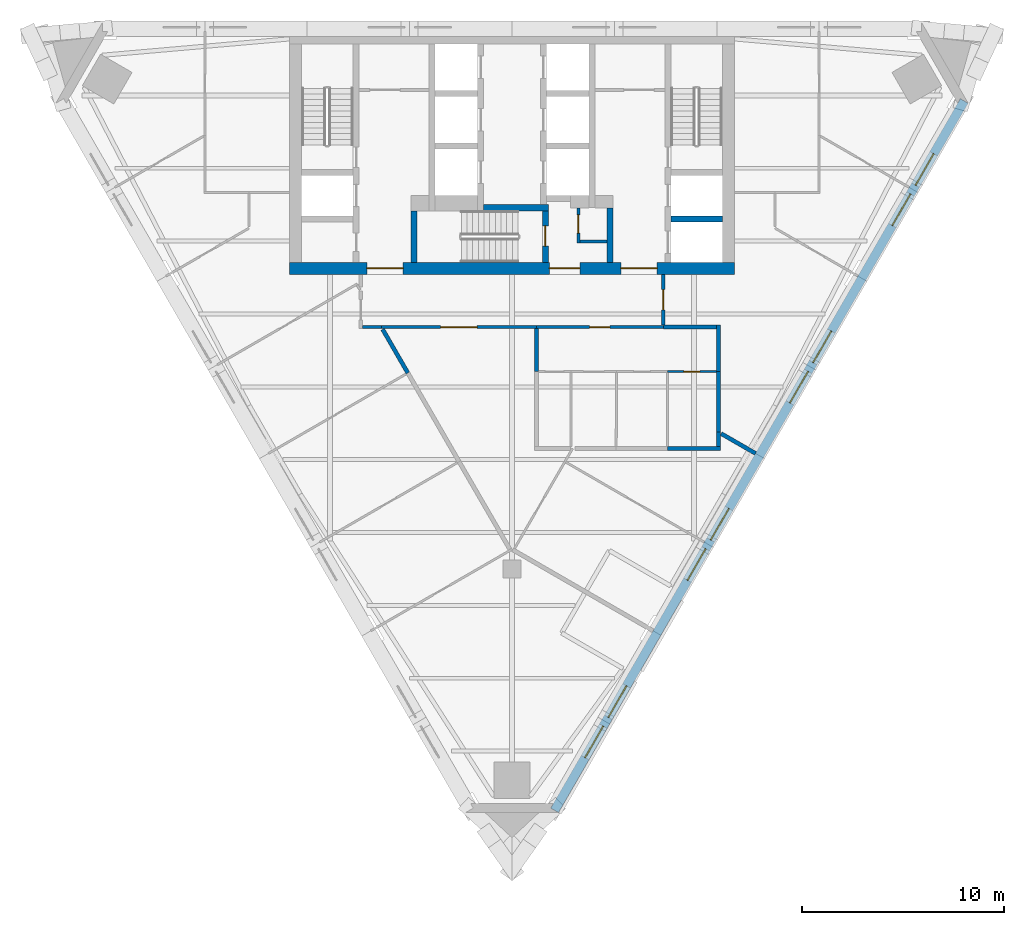
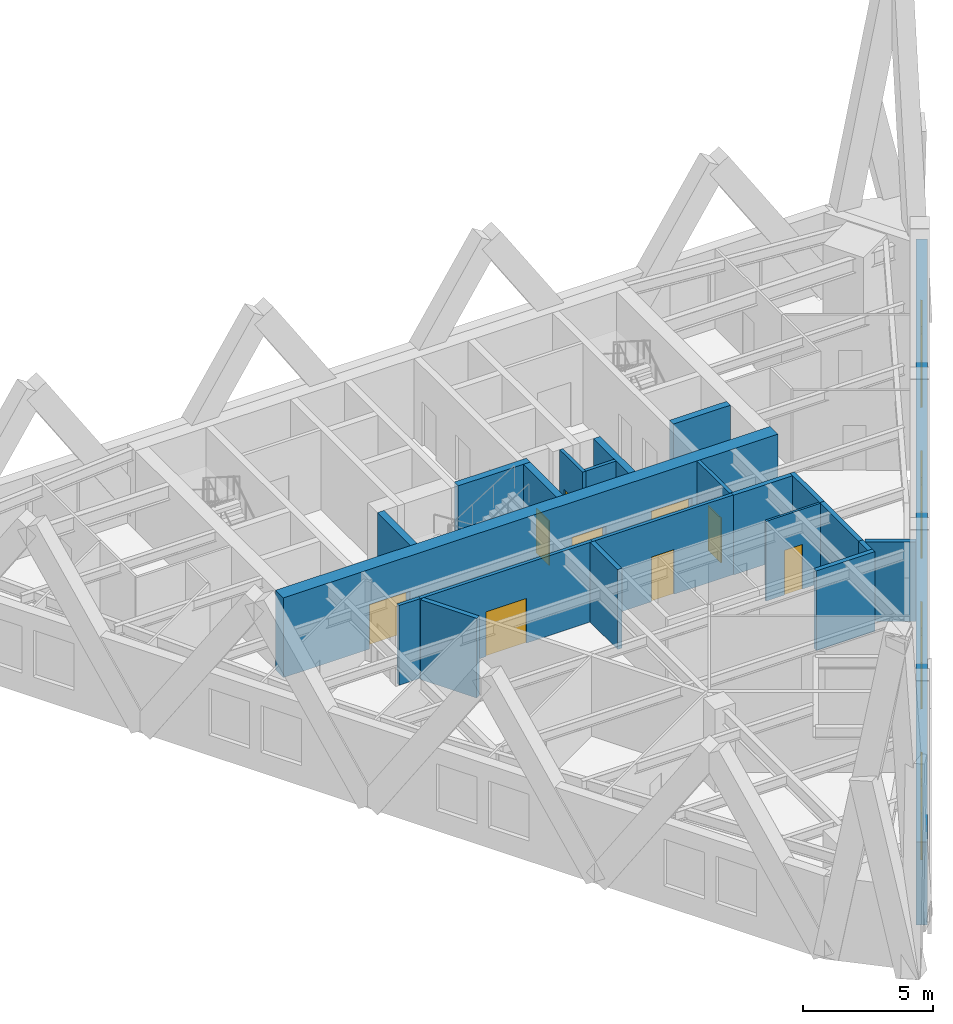
# One storey, part 4 of 8: 22 walls, 9 doors, 8 windows, 17 openings.
"""IFC4 building model written with IfcOpenShell, lengths in metres."""

from ifc_helpers import new_model, si_unit, direction, frame, frame_2d, origin, place, context, subcontext, project, spatial, polyline, rectangle, outline, extrude, material, layer, layer_set, type_object, element, fill, save


model = new_model("IFC4")

# Units and contexts
model_context = context("Model", 3, precision=1e-05, world=origin(), true_north=direction((0.0, 1.0)))
body_context = subcontext(model_context, "Body", "Model", "MODEL_VIEW")
ifc_project = project(units=[si_unit("LENGTHUNIT", "METRE"), si_unit("AREAUNIT", "SQUARE_METRE"), si_unit("VOLUMEUNIT", "CUBIC_METRE"), si_unit("PLANEANGLEUNIT", "RADIAN"), si_unit("MASSUNIT", "GRAM", prefix="KILO")], contexts=[model_context])

# Site, building, storey
site_placement = place(None, origin())
site = spatial("IfcSite", under=ifc_project, at=site_placement, CompositionType="ELEMENT")
building_placement = place(site_placement, origin())
building = spatial("IfcBuilding", under=site, at=building_placement, Name="Aloe Facet Convention Tower", CompositionType="ELEMENT")
storey_placement = place(building_placement, frame((0.0, 0.0, 159.800048828125)))
storey = spatial("IfcBuildingStorey", under=building, at=storey_placement, Name="L40", CompositionType="ELEMENT", Elevation=159.800048828125)

# Wall, opening, door
ifc_material_1 = material(Name="Concrete blockwork partition", Category="masonry")
ifc_layer_1 = layer(ifc_material_1, 0.14990234375)
ifc_layer_set_1 = layer_set([ifc_layer_1], Name="CR-W-PART150")
wall_type_1 = type_object("IfcWallType", Name="CR-W-PART150", PredefinedType="PARTITIONING", material=ifc_layer_set_1)
wall_1_placement = place(storey_placement, frame((83.27490234375, 125.85009765625, 0.0), z_axis=(0.0, 0.0, 1.0), x_axis=(0.0, -1.0, 0.0)))
wall_1 = element("IfcWall", 1, at=wall_1_placement, inside=storey, type_object=wall_type_1, Name="Core partition L40-022", PredefinedType="PARTITIONING", context=body_context, shape_type="SweptSolid", body=[
    extrude(rectangle(XDim=1.75, YDim=0.14990234375, at=frame_2d((0.875, 0.0))), origin(), (0.0, 0.0, 1.0), 3.75),
])
opening_1_placement = place(wall_1_placement, frame((0.35009765625, 0.0, 0.0)))
opening_1 = element("IfcOpeningElement", 2, at=opening_1_placement, cuts=wall_1, Name="Opening L40-CD12", PredefinedType="OPENING", context=body_context, shape_type="SweptSolid", body=[
    extrude(rectangle(XDim=0.89990234375, YDim=2.10009765625, at=frame_2d((0.449951171875, 1.050048828125))), frame((0.0, 0.0849609375, 0.0), z_axis=(0.0, -1.0, 0.0), x_axis=(1.0, 0.0, 0.0)), (0.0, 0.0, 1.0), 0.169921875),
])
ifc_material_2 = material(Name="Steel fire-resisting door set FD60", Category="steel")
door_type_1 = type_object("IfcDoorType", Name="CR-D-REFUGE-900-FD60-SRIGHT", OperationType="SINGLE_SWING_RIGHT", PredefinedType="DOOR", material=ifc_material_2)
door_1_placement = place(opening_1_placement, origin())
door_1 = element("IfcDoor", 3, at=door_1_placement, inside=storey, type_object=door_type_1, Name="Core door L40-CD12", OperationType="SINGLE_SWING_RIGHT", OverallHeight=2.10009765625, OverallWidth=0.89990234375, PredefinedType="DOOR", context=body_context, shape_type="SweptSolid", body=[
    extrude(rectangle(XDim=0.89990234375, YDim=2.10009765625, at=frame_2d((0.449951171875, 1.050048828125))), frame((0.0, 0.02490234375, 0.0), z_axis=(0.0, -1.0, 0.0), x_axis=(1.0, 0.0, 0.0)), (0.0, 0.0, 1.0), 0.050048828125),
])
fill(opening_1, door_1)

# Walls
wall_2_placement = place(storey_placement, frame((83.35009765625, 124.175048828125, 0.0), z_axis=(0.0, 0.0, 1.0), x_axis=(1.0, 0.0, 0.0)))
element("IfcWall", 4, at=wall_2_placement, inside=storey, type_object=wall_type_1, Name="Core partition L40-023", PredefinedType="PARTITIONING", context=body_context, shape_type="SweptSolid", body=[
    extrude(rectangle(XDim=1.349853515625, YDim=0.14990234375, at=frame_2d((0.6748046875, 0.0))), origin(), (0.0, 0.0, 1.0), 3.75),
])
ifc_material_3 = material(Name="Concrete C60/75", Category="concrete")
ifc_layer_2 = layer(ifc_material_3, 0.300048828125)
ifc_layer_set_2 = layer_set([ifc_layer_2], Name="CR-W-RC300-C6075")
wall_type_2 = type_object("IfcWallType", Name="CR-W-RC300-C6075", PredefinedType="SOLIDWALL", material=ifc_layer_set_2)
wall_3_placement = place(storey_placement, frame((75.14990234375, 125.699951171875, 0.0), z_axis=(0.0, 0.0, 1.0), x_axis=(0.0, -1.0, 0.0)))
element("IfcWall", 5, at=wall_3_placement, inside=storey, type_object=wall_type_2, Name="Core wall L40-009", PredefinedType="SOLIDWALL", context=body_context, shape_type="SweptSolid", body=[
    extrude(rectangle(XDim=2.550048828125, YDim=0.300048828125, at=frame_2d((1.27490234375, 0.0))), origin(), (0.0, 0.0, 1.0), 3.75),
])
wall_4_placement = place(storey_placement, frame((78.60009765625, 125.85009765625, 0.0), z_axis=(0.0, 0.0, 1.0), x_axis=(1.0, 0.0, 0.0)))
element("IfcWall", 6, at=wall_4_placement, inside=storey, type_object=wall_type_2, Name="Core wall L40-015", PredefinedType="SOLIDWALL", context=body_context, shape_type="SweptSolid", body=[
    extrude(rectangle(XDim=3.199951171875, YDim=0.300048828125, at=frame_2d((1.60009765625, 0.0))), origin(), (0.0, 0.0, 1.0), 3.75),
])

# Wall, opening, door
wall_5_placement = place(storey_placement, frame((81.64990234375, 125.699951171875, 0.0), z_axis=(0.0, 0.0, 1.0), x_axis=(0.0, -1.0, 0.0)))
wall_5 = element("IfcWall", 7, at=wall_5_placement, inside=storey, type_object=wall_type_2, Name="Core wall L40-017", PredefinedType="SOLIDWALL", context=body_context, shape_type="SweptSolid", body=[
    extrude(rectangle(XDim=2.550048828125, YDim=0.300048828125, at=frame_2d((1.27490234375, 0.0))), origin(), (0.0, 0.0, 1.0), 3.75),
])
opening_2_placement = place(wall_5_placement, frame((0.75, 0.0, 0.0)))
opening_2 = element("IfcOpeningElement", 8, at=opening_2_placement, cuts=wall_5, Name="Opening L40-CD18", PredefinedType="OPENING", context=body_context, shape_type="SweptSolid", body=[
    extrude(rectangle(XDim=1.0, YDim=2.10009765625, at=frame_2d((0.5, 1.050048828125))), frame((0.0, 0.16015625, 0.0), z_axis=(0.0, -1.0, 0.0), x_axis=(1.0, 0.0, 0.0)), (0.0, 0.0, 1.0), 0.320068359375),
])
ifc_material_4 = material(Name="Steel fire-resisting door set FD120", Category="steel")
door_type_2 = type_object("IfcDoorType", Name="CR-D-STAIR-1000-FD120-SLEFT", OperationType="SINGLE_SWING_LEFT", PredefinedType="DOOR", material=ifc_material_4)
door_2_placement = place(opening_2_placement, origin())
door_2 = element("IfcDoor", 9, at=door_2_placement, inside=storey, type_object=door_type_2, Name="Core door L40-CD18", OperationType="SINGLE_SWING_LEFT", OverallHeight=2.10009765625, OverallWidth=1.0, PredefinedType="DOOR", context=body_context, shape_type="SweptSolid", body=[
    extrude(rectangle(XDim=1.0, YDim=2.10009765625, at=frame_2d((0.5, 1.050048828125))), frame((0.0, 0.02490234375, 0.0), z_axis=(0.0, -1.0, 0.0), x_axis=(1.0, 0.0, 0.0)), (0.0, 0.0, 1.0), 0.050048828125),
])
fill(opening_2, door_2)

# Walls
wall_6_placement = place(storey_placement, frame((84.85009765625, 125.85009765625, 0.0), z_axis=(0.0, 0.0, 1.0), x_axis=(0.0, -1.0, 0.0)))
element("IfcWall", 10, at=wall_6_placement, inside=storey, type_object=wall_type_2, Name="Core wall L40-027", PredefinedType="SOLIDWALL", context=body_context, shape_type="SweptSolid", body=[
    extrude(rectangle(XDim=2.7001953125, YDim=0.300048828125, at=frame_2d((1.35009765625, 0.0))), origin(), (0.0, 0.0, 1.0), 3.75),
])
wall_7_placement = place(storey_placement, frame((87.85009765625, 125.300048828125, 0.0), z_axis=(0.0, 0.0, 1.0), x_axis=(1.0, 0.0, 0.0)))
element("IfcWall", 11, at=wall_7_placement, inside=storey, type_object=wall_type_2, Name="Core wall L40-030", PredefinedType="SOLIDWALL", context=body_context, shape_type="SweptSolid", body=[
    extrude(rectangle(XDim=2.5498046875, YDim=0.300048828125, at=frame_2d((1.27490234375, 0.0))), origin(), (0.0, 0.0, 1.0), 3.75),
])

# Wall, openings, doors
ifc_material_5 = material(Name="Concrete C60/75", Category="concrete")
ifc_layer_3 = layer(ifc_material_5, 0.60009765625)
ifc_layer_set_3 = layer_set([ifc_layer_3], Name="CR-W-RC600-C6075")
wall_type_3 = type_object("IfcWallType", Name="CR-W-RC600-C6075", PredefinedType="SOLIDWALL", material=ifc_layer_set_3)
wall_8_placement = place(storey_placement, frame((69.0, 122.85009765625, 0.0), z_axis=(0.0, 0.0, 1.0), x_axis=(1.0, 0.0, 0.0)))
wall_8 = element("IfcWall", 12, at=wall_8_placement, inside=storey, type_object=wall_type_3, Name="Core wall L40-003", PredefinedType="SOLIDWALL", context=body_context, shape_type="SweptSolid", body=[
    extrude(rectangle(XDim=22.0, YDim=0.60009765625, at=frame_2d((11.0, 0.0))), origin(), (0.0, 0.0, 1.0), 3.75),
])
opening_3_placement = place(wall_8_placement, frame((16.375, 0.0, 0.0)))
opening_3 = element("IfcOpeningElement", 13, at=opening_3_placement, cuts=wall_8, Name="Opening L40-CD09", PredefinedType="OPENING", context=body_context, shape_type="SweptSolid", body=[
    extrude(rectangle(XDim=1.800048828125, YDim=2.10009765625, at=frame_2d((0.89990234375, 1.050048828125))), frame((0.0, 0.31005859375, 0.0), z_axis=(0.0, -1.0, 0.0), x_axis=(1.0, 0.0, 0.0)), (0.0, 0.0, 1.0), 0.6201171875),
])
opening_4_placement = place(wall_8_placement, frame((3.824951171875, 0.0, 0.0)))
opening_4 = element("IfcOpeningElement", 14, at=opening_4_placement, cuts=wall_8, Name="Opening L40-CD10", PredefinedType="OPENING", context=body_context, shape_type="SweptSolid", body=[
    extrude(rectangle(XDim=1.800048828125, YDim=2.10009765625, at=frame_2d((0.89990234375, 1.050048828125))), frame((0.0, 0.31005859375, 0.0), z_axis=(0.0, -1.0, 0.0), x_axis=(1.0, 0.0, 0.0)), (0.0, 0.0, 1.0), 0.6201171875),
])
opening_5_placement = place(wall_8_placement, frame((12.85009765625, 0.0, 0.0)))
opening_5 = element("IfcOpeningElement", 15, at=opening_5_placement, cuts=wall_8, Name="Opening L40-CD11", PredefinedType="OPENING", context=body_context, shape_type="SweptSolid", body=[
    extrude(rectangle(XDim=1.5, YDim=2.10009765625, at=frame_2d((0.75, 1.050048828125))), frame((0.0, 0.31005859375, 0.0), z_axis=(0.0, -1.0, 0.0), x_axis=(1.0, 0.0, 0.0)), (0.0, 0.0, 1.0), 0.6201171875),
])
ifc_material_6 = material(Name="Steel fire-resisting door set FD60", Category="steel")
door_type_3 = type_object("IfcDoorType", Name="CR-D-EXIT-1500-FD60-DD", OperationType="DOUBLE_DOOR_DOUBLE_SWING", PredefinedType="DOOR", material=ifc_material_6)
door_3_placement = place(opening_5_placement, origin())
door_3 = element("IfcDoor", 16, at=door_3_placement, inside=storey, type_object=door_type_3, Name="Core door L40-CD11", OperationType="DOUBLE_DOOR_DOUBLE_SWING", OverallHeight=2.10009765625, OverallWidth=1.5, PredefinedType="DOOR", context=body_context, shape_type="SweptSolid", body=[
    extrude(rectangle(XDim=1.5, YDim=2.10009765625, at=frame_2d((0.75, 1.050048828125))), frame((0.0, 0.02490234375, 0.0), z_axis=(0.0, -1.0, 0.0), x_axis=(1.0, 0.0, 0.0)), (0.0, 0.0, 1.0), 0.050048828125),
])
fill(opening_5, door_3)
ifc_material_7 = material(Name="Steel fire-resisting door set FD120", Category="steel")
door_type_4 = type_object("IfcDoorType", Name="CR-D-EXIT-1800-FD120-DD", OperationType="DOUBLE_DOOR_DOUBLE_SWING", PredefinedType="DOOR", material=ifc_material_7)
door_4_placement = place(opening_3_placement, origin())
door_4 = element("IfcDoor", 17, at=door_4_placement, inside=storey, type_object=door_type_4, Name="Core door L40-CD09", OperationType="DOUBLE_DOOR_DOUBLE_SWING", OverallHeight=2.10009765625, OverallWidth=1.800048828125, PredefinedType="DOOR", context=body_context, shape_type="SweptSolid", body=[
    extrude(rectangle(XDim=1.800048828125, YDim=2.10009765625, at=frame_2d((0.89990234375, 1.050048828125))), frame((0.0, 0.02490234375, 0.0), z_axis=(0.0, -1.0, 0.0), x_axis=(1.0, 0.0, 0.0)), (0.0, 0.0, 1.0), 0.050048828125),
])
fill(opening_3, door_4)
door_5_placement = place(opening_4_placement, origin())
door_5 = element("IfcDoor", 18, at=door_5_placement, inside=storey, type_object=door_type_4, Name="Core door L40-CD10", OperationType="DOUBLE_DOOR_DOUBLE_SWING", OverallHeight=2.10009765625, OverallWidth=1.800048828125, PredefinedType="DOOR", context=body_context, shape_type="SweptSolid", body=[
    extrude(rectangle(XDim=1.800048828125, YDim=2.10009765625, at=frame_2d((0.89990234375, 1.050048828125))), frame((0.0, 0.02490234375, 0.0), z_axis=(0.0, -1.0, 0.0), x_axis=(1.0, 0.0, 0.0)), (0.0, 0.0, 1.0), 0.050048828125),
])
fill(opening_4, door_5)

# Wall, openings, windows
ifc_material_8 = material(Name="Precast concrete C40/50", Category="concrete")
ifc_layer_4 = layer(ifc_material_8, 0.449951171875)
ifc_layer_set_4 = layer_set([ifc_layer_4], Name="EV-WALL-STONE")
wall_type_4 = type_object("IfcWallType", Name="EV-WALL-STONE", PredefinedType="SOLIDWALL", material=ifc_layer_set_4)
wall_9_placement = place(storey_placement, frame((82.105224609375, 96.066650390625, -0.150146484375), z_axis=(0.0, 0.0, 1.0), x_axis=(0.499997369791, 0.866026922331, 0.0)))
wall_9 = element("IfcWall", 19, at=wall_9_placement, inside=storey, type_object=wall_type_4, Name="EW-L40-E01", PredefinedType="SOLIDWALL", context=body_context, shape_type="SweptSolid", body=[
    extrude(outline(polyline([(40.486083984375, 0.0), (40.486083984375, 3.900146484375), (0.0, 3.900146484375), (0.0, 0.0), (40.486083984375, 0.0)])), frame((0.0, 0.22509765625, 0.0), z_axis=(0.0, -1.0, 0.0), x_axis=(1.0, 0.0, 0.0)), (0.0, 0.0, 1.0), 0.449951171875),
])
opening_6_placement = place(wall_9_placement, frame((3.0107421875, 0.0, 0.949951171875)))
opening_6 = element("IfcOpeningElement", 20, at=opening_6_placement, cuts=wall_9, Name="Opening W-L40-E01", PredefinedType="OPENING", context=body_context, shape_type="SweptSolid", body=[
    extrude(rectangle(XDim=1.800048828125, YDim=2.199951171875, at=frame_2d((0.89990234375, 1.10009765625))), frame((0.0, 0.23486328125, 0.0), z_axis=(0.0, -1.0, 0.0), x_axis=(1.0, 0.0, 0.0)), (0.0, 0.0, 1.0), 0.469970703125),
])
opening_7_placement = place(wall_9_placement, frame((5.310791015625, 0.0, 0.949951171875)))
opening_7 = element("IfcOpeningElement", 21, at=opening_7_placement, cuts=wall_9, Name="Opening W-L40-E02", PredefinedType="OPENING", context=body_context, shape_type="SweptSolid", body=[
    extrude(rectangle(XDim=1.800048828125, YDim=2.199951171875, at=frame_2d((0.89990234375, 1.10009765625))), frame((0.0, 0.23486328125, 0.0), z_axis=(0.0, -1.0, 0.0), x_axis=(1.0, 0.0, 0.0)), (0.0, 0.0, 1.0), 0.469970703125),
])
opening_8_placement = place(wall_9_placement, frame((13.13232421875, 0.0, 0.949951171875)))
opening_8 = element("IfcOpeningElement", 22, at=opening_8_placement, cuts=wall_9, Name="Opening W-L40-E03", PredefinedType="OPENING", context=body_context, shape_type="SweptSolid", body=[
    extrude(rectangle(XDim=1.800048828125, YDim=2.199951171875, at=frame_2d((0.89990234375, 1.10009765625))), frame((0.0, 0.23486328125, 0.0), z_axis=(0.0, -1.0, 0.0), x_axis=(1.0, 0.0, 0.0)), (0.0, 0.0, 1.0), 0.469970703125),
])
opening_9_placement = place(wall_9_placement, frame((15.432373046875, 0.0, 0.949951171875)))
opening_9 = element("IfcOpeningElement", 23, at=opening_9_placement, cuts=wall_9, Name="Opening W-L40-E04", PredefinedType="OPENING", context=body_context, shape_type="SweptSolid", body=[
    extrude(rectangle(XDim=1.800048828125, YDim=2.199951171875, at=frame_2d((0.89990234375, 1.10009765625))), frame((0.0, 0.23486328125, 0.0), z_axis=(0.0, -1.0, 0.0), x_axis=(1.0, 0.0, 0.0)), (0.0, 0.0, 1.0), 0.469970703125),
])
opening_10_placement = place(wall_9_placement, frame((23.25390625, 0.0, 0.949951171875)))
opening_10 = element("IfcOpeningElement", 24, at=opening_10_placement, cuts=wall_9, Name="Opening W-L40-E05", PredefinedType="OPENING", context=body_context, shape_type="SweptSolid", body=[
    extrude(rectangle(XDim=1.800048828125, YDim=2.199951171875, at=frame_2d((0.89990234375, 1.10009765625))), frame((0.0, 0.23486328125, 0.0), z_axis=(0.0, -1.0, 0.0), x_axis=(1.0, 0.0, 0.0)), (0.0, 0.0, 1.0), 0.469970703125),
])
opening_11_placement = place(wall_9_placement, frame((25.553955078125, 0.0, 0.949951171875)))
opening_11 = element("IfcOpeningElement", 25, at=opening_11_placement, cuts=wall_9, Name="Opening W-L40-E06", PredefinedType="OPENING", context=body_context, shape_type="SweptSolid", body=[
    extrude(rectangle(XDim=1.800048828125, YDim=2.199951171875, at=frame_2d((0.89990234375, 1.10009765625))), frame((0.0, 0.23486328125, 0.0), z_axis=(0.0, -1.0, 0.0), x_axis=(1.0, 0.0, 0.0)), (0.0, 0.0, 1.0), 0.469970703125),
])
opening_12_placement = place(wall_9_placement, frame((33.37548828125, 0.0, 0.949951171875)))
opening_12 = element("IfcOpeningElement", 26, at=opening_12_placement, cuts=wall_9, Name="Opening W-L40-E07", PredefinedType="OPENING", context=body_context, shape_type="SweptSolid", body=[
    extrude(rectangle(XDim=1.800048828125, YDim=2.199951171875, at=frame_2d((0.89990234375, 1.10009765625))), frame((0.0, 0.23486328125, 0.0), z_axis=(0.0, -1.0, 0.0), x_axis=(1.0, 0.0, 0.0)), (0.0, 0.0, 1.0), 0.469970703125),
])
opening_13_placement = place(wall_9_placement, frame((35.67529296875, 0.0, 0.949951171875)))
opening_13 = element("IfcOpeningElement", 27, at=opening_13_placement, cuts=wall_9, Name="Opening W-L40-E08", PredefinedType="OPENING", context=body_context, shape_type="SweptSolid", body=[
    extrude(rectangle(XDim=1.800048828125, YDim=2.199951171875, at=frame_2d((0.89990234375, 1.10009765625))), frame((0.0, 0.23486328125, 0.0), z_axis=(0.0, -1.0, 0.0), x_axis=(1.0, 0.0, 0.0)), (0.0, 0.0, 1.0), 0.469970703125),
])
ifc_material_9 = material(Name="Aluminium frame, clear double glazing", Category="aluminium")
window_type = type_object("IfcWindowType", Name="EV-WIN-O18", PartitioningType="SINGLE_PANEL", PredefinedType="WINDOW", material=ifc_material_9)
window_1_placement = place(opening_6_placement, origin())
window_1 = element("IfcWindow", 28, at=window_1_placement, inside=storey, type_object=window_type, Name="W-L40-E01", OverallHeight=2.199951171875, OverallWidth=1.800048828125, PartitioningType="SINGLE_PANEL", PredefinedType="WINDOW", context=body_context, shape_type="SweptSolid", body=[
    extrude(rectangle(XDim=1.800048828125, YDim=2.199951171875, at=frame_2d((0.89990234375, 1.10009765625))), frame((0.0, 0.030029296875, 0.0), z_axis=(0.0, -1.0, 0.0), x_axis=(1.0, 0.0, 0.0)), (0.0, 0.0, 1.0), 0.06005859375),
])
fill(opening_6, window_1)
window_2_placement = place(opening_7_placement, origin())
window_2 = element("IfcWindow", 29, at=window_2_placement, inside=storey, type_object=window_type, Name="W-L40-E02", OverallHeight=2.199951171875, OverallWidth=1.800048828125, PartitioningType="SINGLE_PANEL", PredefinedType="WINDOW", context=body_context, shape_type="SweptSolid", body=[
    extrude(rectangle(XDim=1.800048828125, YDim=2.199951171875, at=frame_2d((0.89990234375, 1.10009765625))), frame((0.0, 0.030029296875, 0.0), z_axis=(0.0, -1.0, 0.0), x_axis=(1.0, 0.0, 0.0)), (0.0, 0.0, 1.0), 0.06005859375),
])
fill(opening_7, window_2)
window_3_placement = place(opening_8_placement, origin())
window_3 = element("IfcWindow", 30, at=window_3_placement, inside=storey, type_object=window_type, Name="W-L40-E03", OverallHeight=2.199951171875, OverallWidth=1.800048828125, PartitioningType="SINGLE_PANEL", PredefinedType="WINDOW", context=body_context, shape_type="SweptSolid", body=[
    extrude(rectangle(XDim=1.800048828125, YDim=2.199951171875, at=frame_2d((0.89990234375, 1.10009765625))), frame((0.0, 0.030029296875, 0.0), z_axis=(0.0, -1.0, 0.0), x_axis=(1.0, 0.0, 0.0)), (0.0, 0.0, 1.0), 0.06005859375),
])
fill(opening_8, window_3)
window_4_placement = place(opening_9_placement, origin())
window_4 = element("IfcWindow", 31, at=window_4_placement, inside=storey, type_object=window_type, Name="W-L40-E04", OverallHeight=2.199951171875, OverallWidth=1.800048828125, PartitioningType="SINGLE_PANEL", PredefinedType="WINDOW", context=body_context, shape_type="SweptSolid", body=[
    extrude(rectangle(XDim=1.800048828125, YDim=2.199951171875, at=frame_2d((0.89990234375, 1.10009765625))), frame((0.0, 0.030029296875, 0.0), z_axis=(0.0, -1.0, 0.0), x_axis=(1.0, 0.0, 0.0)), (0.0, 0.0, 1.0), 0.06005859375),
])
fill(opening_9, window_4)
window_5_placement = place(opening_10_placement, origin())
window_5 = element("IfcWindow", 32, at=window_5_placement, inside=storey, type_object=window_type, Name="W-L40-E05", OverallHeight=2.199951171875, OverallWidth=1.800048828125, PartitioningType="SINGLE_PANEL", PredefinedType="WINDOW", context=body_context, shape_type="SweptSolid", body=[
    extrude(rectangle(XDim=1.800048828125, YDim=2.199951171875, at=frame_2d((0.89990234375, 1.10009765625))), frame((0.0, 0.030029296875, 0.0), z_axis=(0.0, -1.0, 0.0), x_axis=(1.0, 0.0, 0.0)), (0.0, 0.0, 1.0), 0.06005859375),
])
fill(opening_10, window_5)
window_6_placement = place(opening_11_placement, origin())
window_6 = element("IfcWindow", 33, at=window_6_placement, inside=storey, type_object=window_type, Name="W-L40-E06", OverallHeight=2.199951171875, OverallWidth=1.800048828125, PartitioningType="SINGLE_PANEL", PredefinedType="WINDOW", context=body_context, shape_type="SweptSolid", body=[
    extrude(rectangle(XDim=1.800048828125, YDim=2.199951171875, at=frame_2d((0.89990234375, 1.10009765625))), frame((0.0, 0.030029296875, 0.0), z_axis=(0.0, -1.0, 0.0), x_axis=(1.0, 0.0, 0.0)), (0.0, 0.0, 1.0), 0.06005859375),
])
fill(opening_11, window_6)
window_7_placement = place(opening_12_placement, origin())
window_7 = element("IfcWindow", 34, at=window_7_placement, inside=storey, type_object=window_type, Name="W-L40-E07", OverallHeight=2.199951171875, OverallWidth=1.800048828125, PartitioningType="SINGLE_PANEL", PredefinedType="WINDOW", context=body_context, shape_type="SweptSolid", body=[
    extrude(rectangle(XDim=1.800048828125, YDim=2.199951171875, at=frame_2d((0.89990234375, 1.10009765625))), frame((0.0, 0.030029296875, 0.0), z_axis=(0.0, -1.0, 0.0), x_axis=(1.0, 0.0, 0.0)), (0.0, 0.0, 1.0), 0.06005859375),
])
fill(opening_12, window_7)
window_8_placement = place(opening_13_placement, origin())
window_8 = element("IfcWindow", 35, at=window_8_placement, inside=storey, type_object=window_type, Name="W-L40-E08", OverallHeight=2.199951171875, OverallWidth=1.800048828125, PartitioningType="SINGLE_PANEL", PredefinedType="WINDOW", context=body_context, shape_type="SweptSolid", body=[
    extrude(rectangle(XDim=1.800048828125, YDim=2.199951171875, at=frame_2d((0.89990234375, 1.10009765625))), frame((0.0, 0.030029296875, 0.0), z_axis=(0.0, -1.0, 0.0), x_axis=(1.0, 0.0, 0.0)), (0.0, 0.0, 1.0), 0.06005859375),
])
fill(opening_13, window_8)

# Wall, opening, door
ifc_material_10 = material(Name="Gypsum board partition on steel studs", Category="steel")
ifc_layer_5 = layer(ifc_material_10, 0.14990234375)
ifc_layer_set_5 = layer_set([ifc_layer_5], Name="IN-W-CORR")
wall_type_5 = type_object("IfcWallType", Name="IN-W-CORR", PredefinedType="PARTITIONING", material=ifc_layer_set_5)
wall_10_placement = place(storey_placement, frame((73.54541015625, 119.949951171875, 0.0), z_axis=(0.0, 0.0, 1.0), x_axis=(1.0, 0.0, 0.0)))
wall_10 = element("IfcWall", 36, at=wall_10_placement, inside=storey, type_object=wall_type_5, Name="Partition L40-W032", PredefinedType="PARTITIONING", context=body_context, shape_type="SweptSolid", body=[
    extrude(rectangle(XDim=7.654541015625, YDim=0.14990234375, at=frame_2d((3.8271484375, 0.0))), origin(), (0.0, 0.0, 1.0), 3.75),
])
opening_14_placement = place(wall_10_placement, frame((2.92724609375, 0.0, 0.0)))
opening_14 = element("IfcOpeningElement", 37, at=opening_14_placement, cuts=wall_10, Name="Opening L40-017", PredefinedType="OPENING", context=body_context, shape_type="SweptSolid", body=[
    extrude(rectangle(XDim=1.800048828125, YDim=2.10009765625, at=frame_2d((0.89990234375, 1.050048828125))), frame((0.0, 0.0849609375, 0.0), z_axis=(0.0, -1.0, 0.0), x_axis=(1.0, 0.0, 0.0)), (0.0, 0.0, 1.0), 0.169921875),
])
ifc_material_11 = material(Name="Glazed timber door pair FD30S", Category="wood")
door_type_5 = type_object("IfcDoorType", Name="IN-OFF-D-SUITE", OperationType="DOUBLE_DOOR_SINGLE_SWING", PredefinedType="DOOR", material=ifc_material_11)
door_6_placement = place(opening_14_placement, origin())
door_6 = element("IfcDoor", 38, at=door_6_placement, inside=storey, type_object=door_type_5, Name="Door L40-017", OperationType="SINGLE_SWING_LEFT", OverallHeight=2.10009765625, OverallWidth=1.800048828125, PredefinedType="DOOR", context=body_context, shape_type="SweptSolid", body=[
    extrude(rectangle(XDim=1.800048828125, YDim=2.10009765625, at=frame_2d((0.89990234375, 1.050048828125))), frame((0.0, 0.02490234375, 0.0), z_axis=(0.0, -1.0, 0.0), x_axis=(1.0, 0.0, 0.0)), (0.0, 0.0, 1.0), 0.050048828125),
])
fill(opening_14, door_6)

# Wall
wall_11_placement = place(storey_placement, frame((72.60009765625, 119.949951171875, 0.0), z_axis=(0.0, 0.0, 1.0), x_axis=(1.0, 0.0, 0.0)))
element("IfcWall", 39, at=wall_11_placement, inside=storey, type_object=wall_type_5, Name="Partition L40-W033", PredefinedType="PARTITIONING", context=body_context, shape_type="SweptSolid", body=[
    extrude(rectangle(XDim=0.9453125, YDim=0.14990234375, at=frame_2d((0.47265625, 0.0))), origin(), (0.0, 0.0, 1.0), 3.75),
])

# Wall, opening, door
wall_12_placement = place(storey_placement, frame((81.199951171875, 119.949951171875, 0.0), z_axis=(0.0, 0.0, 1.0), x_axis=(1.0, 0.0, 0.0)))
wall_12 = element("IfcWall", 40, at=wall_12_placement, inside=storey, type_object=wall_type_5, Name="Partition L40-W035", PredefinedType="PARTITIONING", context=body_context, shape_type="SweptSolid", body=[
    extrude(rectangle(XDim=6.275146484375, YDim=0.14990234375, at=frame_2d((3.1376953125, 0.0))), origin(), (0.0, 0.0, 1.0), 3.75),
])
opening_15_placement = place(wall_12_placement, frame((2.637451171875, 0.0, 0.0)))
opening_15 = element("IfcOpeningElement", 41, at=opening_15_placement, cuts=wall_12, Name="Opening L40-001", PredefinedType="OPENING", context=body_context, shape_type="SweptSolid", body=[
    extrude(rectangle(XDim=1.0, YDim=2.10009765625, at=frame_2d((0.5, 1.050048828125))), frame((0.0, 0.0849609375, 0.0), z_axis=(0.0, -1.0, 0.0), x_axis=(1.0, 0.0, 0.0)), (0.0, 0.0, 1.0), 0.169921875),
])
ifc_material_12 = material(Name="Timber door FD30S with vision panel", Category="wood")
door_type_6 = type_object("IfcDoorType", Name="IN-OFF-D-ENTRY", OperationType="SINGLE_SWING_LEFT", PredefinedType="DOOR", material=ifc_material_12)
door_7_placement = place(opening_15_placement, origin())
door_7 = element("IfcDoor", 42, at=door_7_placement, inside=storey, type_object=door_type_6, Name="Door L40-001", OperationType="SINGLE_SWING_LEFT", OverallHeight=2.10009765625, OverallWidth=1.0, PredefinedType="DOOR", context=body_context, shape_type="SweptSolid", body=[
    extrude(rectangle(XDim=1.0, YDim=2.10009765625, at=frame_2d((0.5, 1.050048828125))), frame((0.0, 0.02490234375, 0.0), z_axis=(0.0, -1.0, 0.0), x_axis=(1.0, 0.0, 0.0)), (0.0, 0.0, 1.0), 0.050048828125),
])
fill(opening_15, door_7)

wall_13_placement = place(storey_placement, frame((87.47509765625, 120.050048828125, 0.0), z_axis=(0.0, 0.0, 1.0), x_axis=(0.0, 1.0, 0.0)))
wall_13 = element("IfcWall", 43, at=wall_13_placement, inside=storey, type_object=wall_type_5, Name="Partition L40-W041", PredefinedType="PARTITIONING", context=body_context, shape_type="SweptSolid", body=[
    extrude(rectangle(XDim=2.5, YDim=0.14990234375, at=frame_2d((1.25, 0.0))), origin(), (0.0, 0.0, 1.0), 3.75),
])
opening_16_placement = place(wall_13_placement, frame((0.75, 0.0, 0.0)))
opening_16 = element("IfcOpeningElement", 44, at=opening_16_placement, cuts=wall_13, Name="Opening L40-015", PredefinedType="OPENING", context=body_context, shape_type="SweptSolid", body=[
    extrude(rectangle(XDim=1.0, YDim=2.10009765625, at=frame_2d((0.5, 1.050048828125))), frame((0.0, 0.0849609375, 0.0), z_axis=(0.0, -1.0, 0.0), x_axis=(1.0, 0.0, 0.0)), (0.0, 0.0, 1.0), 0.169921875),
])
door_8_placement = place(opening_16_placement, origin())
door_8 = element("IfcDoor", 45, at=door_8_placement, inside=storey, type_object=door_type_6, Name="Door L40-015", OperationType="SINGLE_SWING_LEFT", OverallHeight=2.10009765625, OverallWidth=1.0, PredefinedType="DOOR", context=body_context, shape_type="SweptSolid", body=[
    extrude(rectangle(XDim=1.0, YDim=2.10009765625, at=frame_2d((0.5, 1.050048828125))), frame((0.0, 0.02490234375, 0.0), z_axis=(0.0, -1.0, 0.0), x_axis=(1.0, 0.0, 0.0)), (0.0, 0.0, 1.0), 0.050048828125),
])
fill(opening_16, door_8)

ifc_material_13 = material(Name="Gypsum board partition on steel studs", Category="steel")
ifc_layer_6 = layer(ifc_material_13, 0.10009765625)
ifc_layer_set_6 = layer_set([ifc_layer_6], Name="IN-W-PART")
wall_type_6 = type_object("IfcWallType", Name="IN-W-PART", PredefinedType="PARTITIONING", material=ifc_layer_set_6)
wall_14_placement = place(storey_placement, frame((87.679931640625, 117.75, 0.0), z_axis=(0.0, 0.0, 1.0), x_axis=(0.999992261016, 0.003934197335, 0.0)))
wall_14 = element("IfcWall", 46, at=wall_14_placement, inside=storey, type_object=wall_type_6, Name="Partition L40-W028", PredefinedType="PARTITIONING", context=body_context, shape_type="SweptSolid", body=[
    extrude(rectangle(XDim=2.420166015625, YDim=0.10009765625, at=frame_2d((1.2099609375, 0.0))), origin(), (0.0, 0.0, 1.0), 3.75),
])
opening_17_placement = place(wall_14_placement, frame((0.81005859375, 0.0, 0.0)))
opening_17 = element("IfcOpeningElement", 47, at=opening_17_placement, cuts=wall_14, Name="Opening L40-005", PredefinedType="OPENING", context=body_context, shape_type="SweptSolid", body=[
    extrude(rectangle(XDim=0.800048828125, YDim=2.10009765625, at=frame_2d((0.39990234375, 1.050048828125))), frame((0.0, 0.06005859375, 0.0), z_axis=(0.0, -1.0, 0.0), x_axis=(1.0, 0.0, 0.0)), (0.0, 0.0, 1.0), 0.1201171875),
])
ifc_material_14 = material(Name="Timber door", Category="wood")
door_type_7 = type_object("IfcDoorType", Name="IN-OFF-D-WC", OperationType="SINGLE_SWING_LEFT", PredefinedType="DOOR", material=ifc_material_14)
door_9_placement = place(opening_17_placement, origin())
door_9 = element("IfcDoor", 48, at=door_9_placement, inside=storey, type_object=door_type_7, Name="Door L40-005", OperationType="SINGLE_SWING_LEFT", OverallHeight=2.10009765625, OverallWidth=0.800048828125, PredefinedType="DOOR", context=body_context, shape_type="SweptSolid", body=[
    extrude(rectangle(XDim=0.800048828125, YDim=2.10009765625, at=frame_2d((0.39990234375, 1.050048828125))), frame((0.0, 0.02490234375, 0.0), z_axis=(0.0, -1.0, 0.0), x_axis=(1.0, 0.0, 0.0)), (0.0, 0.0, 1.0), 0.050048828125),
])
fill(opening_17, door_9)

# Walls
ifc_material_15 = material(Name="Gypsum board partition on steel studs", Category="steel")
ifc_layer_7 = layer(ifc_material_15, 0.199951171875)
ifc_layer_set_7 = layer_set([ifc_layer_7], Name="IN-W-PARTY")
wall_type_7 = type_object("IfcWallType", Name="IN-W-PARTY", PredefinedType="PARTITIONING", material=ifc_layer_set_7)
wall_15_placement = place(storey_placement, frame((90.338623046875, 114.687744140625, 0.0), z_axis=(0.0, 0.0, 1.0), x_axis=(0.866021300503, -0.500007107024, 0.0)))
element("IfcWall", 49, at=wall_15_placement, inside=storey, type_object=wall_type_7, Name="Partition L40-W011", PredefinedType="PARTITIONING", context=body_context, shape_type="SweptSolid", body=[
    extrude(rectangle(XDim=1.955078125, YDim=0.199951171875, at=frame_2d((0.9775390625, 0.0))), origin(), (0.0, 0.0, 1.0), 3.75),
])
wall_16_placement = place(storey_placement, frame((87.68994140625, 113.949951171875, 0.0), z_axis=(0.0, 0.0, 1.0), x_axis=(1.0, 0.0, 0.0)))
element("IfcWall", 50, at=wall_16_placement, inside=storey, type_object=wall_type_7, Name="Partition L40-W017", PredefinedType="PARTITIONING", context=body_context, shape_type="SweptSolid", body=[
    extrude(rectangle(XDim=2.610107421875, YDim=0.199951171875, at=frame_2d((1.30517578125, 0.0))), origin(), (0.0, 0.0, 1.0), 3.75),
])
wall_17_placement = place(storey_placement, frame((90.199951171875, 114.050048828125, 0.0), z_axis=(0.0, 0.0, 1.0), x_axis=(0.0, 1.0, 0.0)))
element("IfcWall", 51, at=wall_17_placement, inside=storey, type_object=wall_type_7, Name="Partition L40-W018", PredefinedType="PARTITIONING", context=body_context, shape_type="SweptSolid", body=[
    extrude(rectangle(XDim=0.7177734375, YDim=0.199951171875, at=frame_2d((0.35888671875, 0.0))), origin(), (0.0, 0.0, 1.0), 3.75),
])
wall_18_placement = place(storey_placement, frame((90.199951171875, 114.767822265625, 0.0), z_axis=(0.0, 0.0, 1.0), x_axis=(0.0, 1.0, 0.0)))
element("IfcWall", 52, at=wall_18_placement, inside=storey, type_object=wall_type_7, Name="Partition L40-W019", PredefinedType="PARTITIONING", context=body_context, shape_type="SweptSolid", body=[
    extrude(rectangle(XDim=2.9921875, YDim=0.199951171875, at=frame_2d((1.49609375, 0.0))), origin(), (0.0, 0.0, 1.0), 3.75),
])
wall_19_placement = place(storey_placement, frame((73.60791015625, 119.841796875, 0.0), z_axis=(0.0, 0.0, 1.0), x_axis=(0.50001949124, -0.86601415022, 0.0)))
element("IfcWall", 53, at=wall_19_placement, inside=storey, type_object=wall_type_7, Name="Partition L40-W020", PredefinedType="PARTITIONING", context=body_context, shape_type="SweptSolid", body=[
    extrude(rectangle(XDim=2.490234375, YDim=0.199951171875, at=frame_2d((1.2451171875, 0.0))), origin(), (0.0, 0.0, 1.0), 3.75),
])
wall_20_placement = place(storey_placement, frame((90.199951171875, 117.760009765625, 0.0), z_axis=(0.0, 0.0, 1.0), x_axis=(0.0, 1.0, 0.0)))
element("IfcWall", 54, at=wall_20_placement, inside=storey, type_object=wall_type_7, Name="Partition L40-W021", PredefinedType="PARTITIONING", context=body_context, shape_type="SweptSolid", body=[
    extrude(rectangle(XDim=2.2880859375, YDim=0.199951171875, at=frame_2d((1.14404296875, 0.0))), origin(), (0.0, 0.0, 1.0), 3.75),
])
wall_21_placement = place(storey_placement, frame((81.199951171875, 117.75, 0.0), z_axis=(0.0, 0.0, 1.0), x_axis=(0.0, 1.0, 0.0)))
element("IfcWall", 55, at=wall_21_placement, inside=storey, type_object=wall_type_7, Name="Partition L40-W034", PredefinedType="PARTITIONING", context=body_context, shape_type="SweptSolid", body=[
    extrude(rectangle(XDim=2.125, YDim=0.199951171875, at=frame_2d((1.0625, 0.0))), origin(), (0.0, 0.0, 1.0), 3.75),
])
wall_22_placement = place(storey_placement, frame((87.47509765625, 119.949951171875, 0.0), z_axis=(0.0, 0.0, 1.0), x_axis=(0.999999723197, -0.000744047413, 0.0)))
element("IfcWall", 56, at=wall_22_placement, inside=storey, type_object=wall_type_7, Name="Partition L40-W036", PredefinedType="PARTITIONING", context=body_context, shape_type="SweptSolid", body=[
    extrude(rectangle(XDim=2.625, YDim=0.199951171875, at=frame_2d((1.3125, 0.0))), origin(), (0.0, 0.0, 1.0), 3.75),
])

save(model, "model.ifc")
